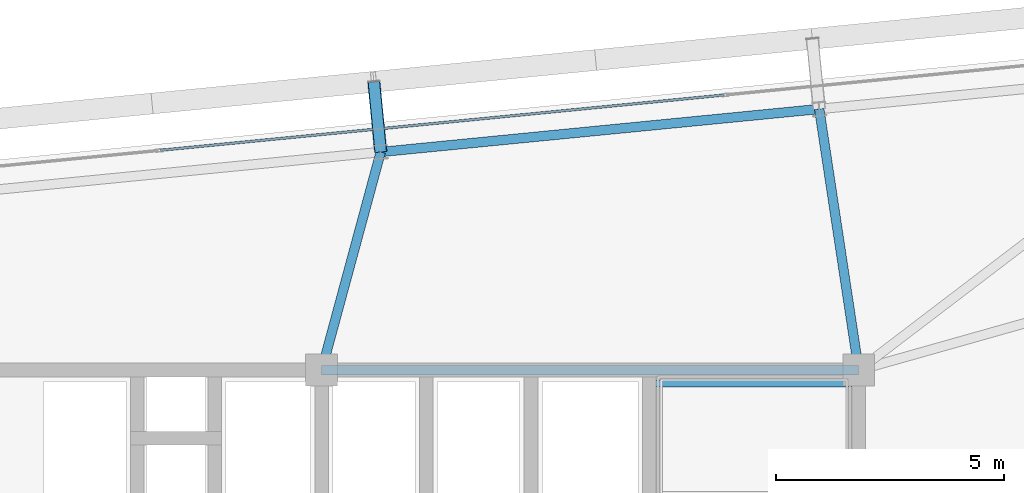
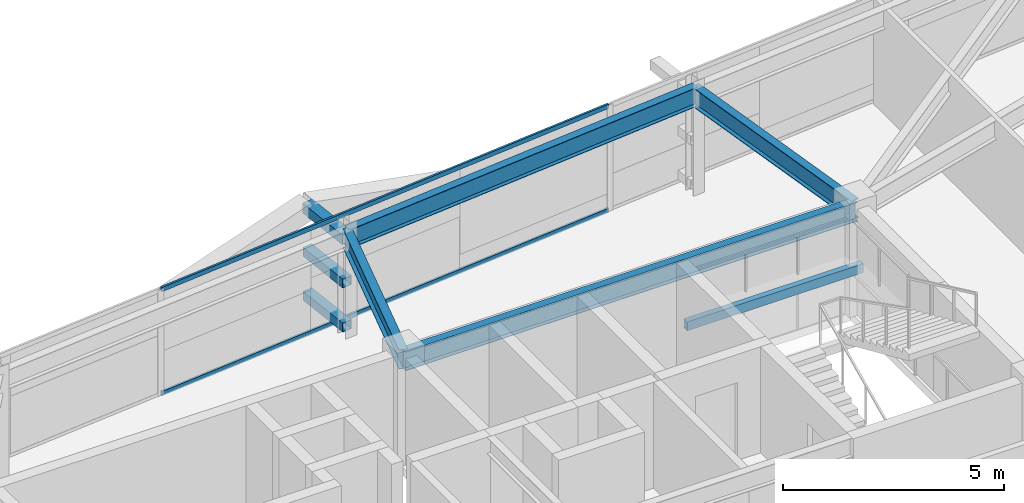
# One storey, part 28 of 47: 5 beams, 5 members, 1 element without a shape of its own.
"""IFC4 building model written with IfcOpenShell, lengths in metres."""

from ifc_helpers import new_model, si_unit, direction, frame, origin, origin_2d, place, context, subcontext, project, spatial, hollow_rectangle, i_section, extrude, source, transform, mapped, material, layer, layer_set, material_profile, profile_set, type_object, element, aggregate, save


model = new_model("IFC4")

# Units and contexts
model_context = context("Model", 3, precision=1e-05, world=origin(), true_north=direction((0.0, 1.0)))
body_context = subcontext(model_context, "Body", "Model", "MODEL_VIEW")
ifc_project = project(units=[si_unit("LENGTHUNIT", "METRE"), si_unit("AREAUNIT", "SQUARE_METRE"), si_unit("VOLUMEUNIT", "CUBIC_METRE"), si_unit("PLANEANGLEUNIT", "RADIAN"), si_unit("MASSUNIT", "GRAM", prefix="KILO")], contexts=[model_context])

# Site, building, storey
site_placement = place(None, origin())
site = spatial("IfcSite", under=ifc_project, at=site_placement, CompositionType="ELEMENT")
building_placement = place(site_placement, origin())
building = spatial("IfcBuilding", under=site, at=building_placement, Name="Taldren Reach Tower", CompositionType="ELEMENT")
storey_placement = place(building_placement, frame((0.0, 0.0, 106.050048828125)))
storey = spatial("IfcBuildingStorey", under=building, at=storey_placement, Name="L32", CompositionType="ELEMENT", Elevation=106.050048828125)

# Beam
ifc_material_1 = material(Name="Steel Gr 350 (350PLUS)", Category="steel")
ifc_material_profile_1 = material_profile(ifc_material_1, i_section(OverallWidth=0.208984375, OverallDepth=0.532958984375, WebThickness=0.01025390625, FlangeThickness=0.015625, at=origin_2d()), Name="530UB92.4")
ifc_profile_set_1 = profile_set([ifc_material_profile_1], Name="Steel Gr 350 (350PLUS)")
beam_type_1 = type_object("IfcBeamType", Name="BM-UB530A", PredefinedType="BEAM", material=ifc_profile_set_1)
shared_shape_1 = source(origin(), body_context, "Body", "SweptSolid", [
    extrude(i_section(OverallWidth=0.208984375, OverallDepth=0.532958984375, WebThickness=0.01025390625, FlangeThickness=0.015625, at=origin_2d()), origin(), (0.0, 0.0, 1.0), 11.800048828125),
])
beam_1_placement = place(storey_placement, frame((39.199951171875, 32.0, 2.663330078125), z_axis=(1.0, 0.0, 0.0), x_axis=(0.0, 1.0, 0.0)))
element("IfcBeam", 1, at=beam_1_placement, inside=storey, type_object=beam_type_1, Name="Core-spine girder L32-SP06", PredefinedType="BEAM", context=body_context, shape_type="MappedRepresentation", body=[
    mapped(shared_shape_1, transform((0.0, 0.0, 0.0), scale=1.0)),
])

# Members
ifc_material_2 = material(Name="Steel Gr 450 (C450L0)", Category="steel")
ifc_material_profile_2 = material_profile(ifc_material_2, hollow_rectangle(XDim=0.27490234375, YDim=0.27490234375, WallThickness=0.00927734375, at=origin_2d()), Name="275x275x9.3SHS")
ifc_profile_set_2 = profile_set([ifc_material_profile_2], Name="Steel Gr 450 (C450L0)")
member_type_1 = type_object("IfcMemberType", Name="MB-TIE273", PredefinedType="STRUT", material=ifc_profile_set_2)
shared_shape_2 = source(origin(), body_context, "Body", "SweptSolid", [
    extrude(hollow_rectangle(XDim=0.27490234375, YDim=0.27490234375, WallThickness=0.00927734375, at=origin_2d()), origin(), (0.0, 0.0, 1.0), 1.5498046875),
])
member_1_placement = place(storey_placement, frame((40.498291015625, 36.790771484375, 2.64990234375), z_axis=(-0.097663201064, 0.995219523099, 0.0), x_axis=(-0.995219523099, -0.097663201064, 0.0)))
element("IfcMember", 2, at=member_1_placement, inside=storey, type_object=member_type_1, Name="Exoskeleton diaphragm tie strut B2-N4 L32", PredefinedType="STRUT", context=body_context, shape_type="MappedRepresentation", body=[
    mapped(shared_shape_2, transform((0.0, 0.0, 0.0), scale=1.0)),
])
ifc_material_3 = material(Name="Steel Gr 350 (C350L0)", Category="steel")
ifc_material_profile_3 = material_profile(ifc_material_3, hollow_rectangle(XDim=0.25, YDim=0.25, WallThickness=0.010009765625, at=origin_2d()), Name="250x250x10.0SHS")
ifc_profile_set_3 = profile_set([ifc_material_profile_3], Name="Steel Gr 350 (C350L0)")
member_type_2 = type_object("IfcMemberType", Name="MB-POST250", PredefinedType="POST", material=ifc_profile_set_3)
shared_shape_3 = source(origin(), body_context, "Body", "SweptSolid", [
    extrude(hollow_rectangle(XDim=0.25, YDim=0.25, WallThickness=0.010009765625, at=origin_2d()), origin(), (0.0, 0.0, 1.0), 1.5498046875),
])
for number, where, z_axis, x_axis, name in (
    (3, (40.498291015625, 36.790771484375, 0.219970703125), (-0.097663201064, 0.995219523099, 0.0), (-0.995219523099, -0.097663201064, 0.0), "Exoskeleton base diaphragm tie strut B2-N4 L32"),
    (4, (40.498291015625, 36.790771484375, 1.43505859375), (-0.097663201064, 0.995219523099, 0.0), (-0.995219523099, -0.097663201064, 0.0), "Exoskeleton mid-tier diaphragm tie B2-N4 L32"),
):
    element("IfcMember", number, at=place(storey_placement, frame(where, z_axis=z_axis, x_axis=x_axis)), inside=storey, type_object=member_type_2, Name=name, PredefinedType="POST", context=body_context, shape_type="MappedRepresentation", body=[
        mapped(shared_shape_3, transform((0.0, 0.0, 0.0), scale=1.0)),
    ])

# Beams
ifc_material_profile_4 = material_profile(ifc_material_1, i_section(OverallWidth=0.208984375, OverallDepth=0.528076171875, WebThickness=0.009521484375, FlangeThickness=0.01318359375, at=origin_2d()), Name="530UB82.0")
ifc_profile_set_4 = profile_set([ifc_material_profile_4], Name="Steel Gr 350 (350PLUS)")
beam_type_2 = type_object("IfcBeamType", Name="SP-UB530B", PredefinedType="SPANDREL", material=ifc_profile_set_4)
shared_shape_4 = source(origin(), body_context, "Body", "SweptSolid", [
    extrude(i_section(OverallWidth=0.208984375, OverallDepth=0.528076171875, WebThickness=0.009521484375, FlangeThickness=0.01318359375, at=origin_2d()), origin(), (0.0, 0.0, 1.0), 9.679931640625),
])
beam_2_placement = place(storey_placement, frame((50.132080078125, 37.7353515625, 2.666015625), z_axis=(-0.995227612658, -0.097580730699, 0.0), x_axis=(0.097580730699, -0.995227612658, 0.0)))
element("IfcBeam", 5, at=beam_2_placement, inside=storey, type_object=beam_type_2, Name="Perimeter spandrel B2 N5-N4 L32", PredefinedType="SPANDREL", context=body_context, shape_type="MappedRepresentation", body=[
    mapped(shared_shape_4, transform((0.0, 0.0, 0.0), scale=1.0)),
])
shared_shape_5 = source(origin(), body_context, "Body", "SweptSolid", [
    extrude(i_section(OverallWidth=0.208984375, OverallDepth=0.532958984375, WebThickness=0.01025390625, FlangeThickness=0.015625, at=origin_2d()), origin(), (0.0, 0.0, 1.0), 5.800537109375),
])
beam_3_placement = place(storey_placement, frame((51.0, 32.0, 2.663330078125), z_axis=(-0.149624592867, 0.988742879221, 0.0), x_axis=(-0.988742879221, -0.149624592867, 0.0)))
element("IfcBeam", 6, at=beam_3_placement, inside=storey, type_object=beam_type_1, Name="Primary floor girder B2-N5 L32", PredefinedType="BEAM", context=body_context, shape_type="MappedRepresentation", body=[
    mapped(shared_shape_5, transform((0.0, 0.0, 0.0), scale=1.0)),
])
shared_shape_6 = source(origin(), body_context, "Body", "SweptSolid", [
    extrude(i_section(OverallWidth=0.208984375, OverallDepth=0.532958984375, WebThickness=0.01025390625, FlangeThickness=0.015625, at=origin_2d()), origin(), (0.0, 0.0, 1.0), 4.963623046875),
])
beam_4_placement = place(storey_placement, frame((39.199951171875, 32.0, 2.663330078125), z_axis=(0.261572995851, 0.965183696423, 0.0), x_axis=(-0.965183696423, 0.261572995851, 0.0)))
element("IfcBeam", 7, at=beam_4_placement, inside=storey, type_object=beam_type_1, Name="Primary floor girder B2-N4 L32", PredefinedType="BEAM", context=body_context, shape_type="MappedRepresentation", body=[
    mapped(shared_shape_6, transform((0.0, 0.0, 0.0), scale=1.0)),
])

# Curtain wall, members
ifc_material_4 = material(Name="Aluminium and Low-E Glass Unitised System", Category="aluminium")
ifc_layer = layer(ifc_material_4, 0.159912109375)
ifc_layer_set = layer_set([ifc_layer], Name="Aluminium and Low-E Glass Unitised System")
curtain_wall_type = type_object("IfcCurtainWallType", Name="CW-SYS-3", PredefinedType="NOTDEFINED", material=ifc_layer_set)
curtain_wall_placement = place(storey_placement, origin())
curtain_wall = element("IfcCurtainWall", 8, at=curtain_wall_placement, inside=storey, type_object=curtain_wall_type, Name="Unitised curtain wall CW-L32-N", PredefinedType="NOTDEFINED")
ifc_material_5 = material(Name="Anodised Aluminium 6063-T6", Category="aluminium")
ifc_material_profile_5 = material_profile(ifc_material_5, hollow_rectangle(XDim=0.054931640625, YDim=0.1201171875, WallThickness=0.0029296875, at=origin_2d()), Name="ALU-120x55x3RHS")
ifc_profile_set_5 = profile_set([ifc_material_profile_5], Name="Anodised Aluminium 6063-T6")
member_type_3 = type_object("IfcMemberType", Name="CW-TRN-135", PredefinedType="USERDEFINED", material=ifc_profile_set_5)
shared_shape_7 = source(origin(), body_context, "Body", "SweptSolid", [
    extrude(hollow_rectangle(XDim=0.054931640625, YDim=0.1201171875, WallThickness=0.0029296875, at=origin_2d()), origin(), (0.0, 0.0, 1.0), 12.43505859375),
])
member_2_placement = place(storey_placement, frame((48.03955078125, 38.04248046875, 0.02734375), z_axis=(-0.995227964368, -0.097577143535, 0.0), x_axis=(0.097577143535, -0.995227964368, 0.0)))
member_2 = element("IfcMember", 9, at=member_2_placement, type_object=member_type_3, Name="CW-3 transom 2.1", ObjectType="TRANSOM", PredefinedType="USERDEFINED", context=body_context, shape_type="MappedRepresentation", body=[
    mapped(shared_shape_7, transform((0.0, 0.0, 0.0), scale=1.0)),
])
member_3_placement = place(storey_placement, frame((48.03955078125, 38.04248046875, 2.90234375), z_axis=(-0.995227964368, -0.097577143535, 0.0), x_axis=(0.097577143535, -0.995227964368, 0.0)))
member_3 = element("IfcMember", 10, at=member_3_placement, type_object=member_type_3, Name="CW-3 transom 2.2", ObjectType="TRANSOM", PredefinedType="USERDEFINED", context=body_context, shape_type="MappedRepresentation", body=[
    mapped(shared_shape_7, transform((0.0, 0.0, 0.0), scale=1.0)),
])
aggregate(curtain_wall, [member_2, member_3])

# Beam
ifc_material_profile_6 = material_profile(ifc_material_3, hollow_rectangle(XDim=0.14990234375, YDim=0.25, WallThickness=0.009033203125, at=origin_2d()), Name="250x150x9.0RHS")
ifc_profile_set_6 = profile_set([ifc_material_profile_6], Name="Steel Gr 350 (C350L0)")
beam_type_3 = type_object("IfcBeamType", Name="LN-RHS250", PredefinedType="LINTEL", material=ifc_profile_set_6)
shared_shape_8 = source(origin(), body_context, "Body", "SweptSolid", [
    extrude(hollow_rectangle(XDim=0.14990234375, YDim=0.25, WallThickness=0.009033203125, at=origin_2d()), origin(), (0.0, 0.0, 1.0), 4.60009765625),
])
beam_5_placement = place(storey_placement, frame((46.39990234375, 31.699951171875, 1.27001953125), z_axis=(1.0, 0.0, 0.0), x_axis=(0.0, 1.0, 0.0)))
element("IfcBeam", 11, at=beam_5_placement, inside=storey, type_object=beam_type_3, Name="Stair half-landing support beam ST2-L32-2", PredefinedType="LINTEL", context=body_context, shape_type="MappedRepresentation", body=[
    mapped(shared_shape_8, transform((0.0, 0.0, 0.0), scale=1.0)),
])

save(model, "model.ifc")
